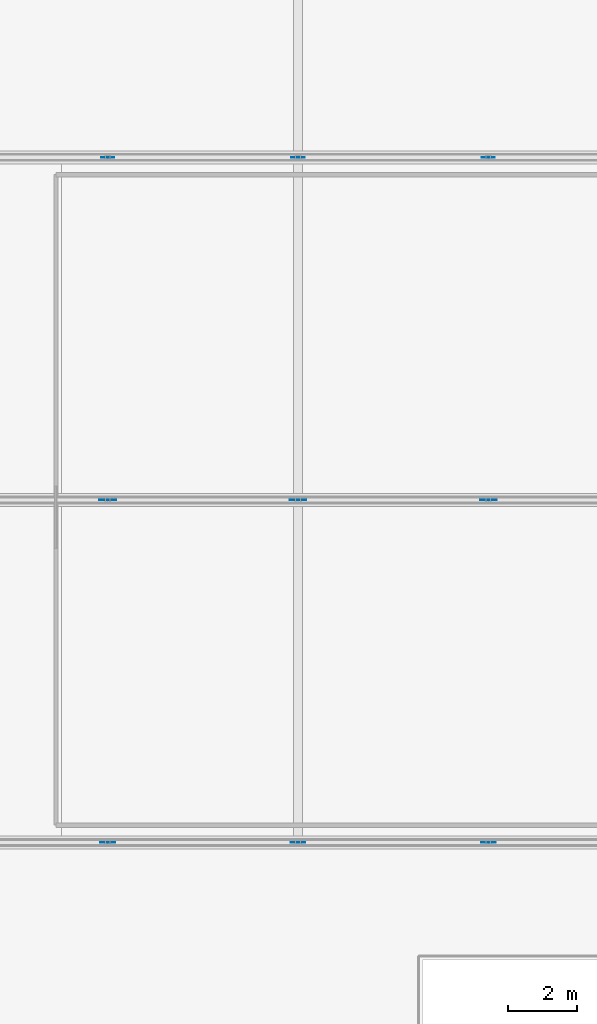
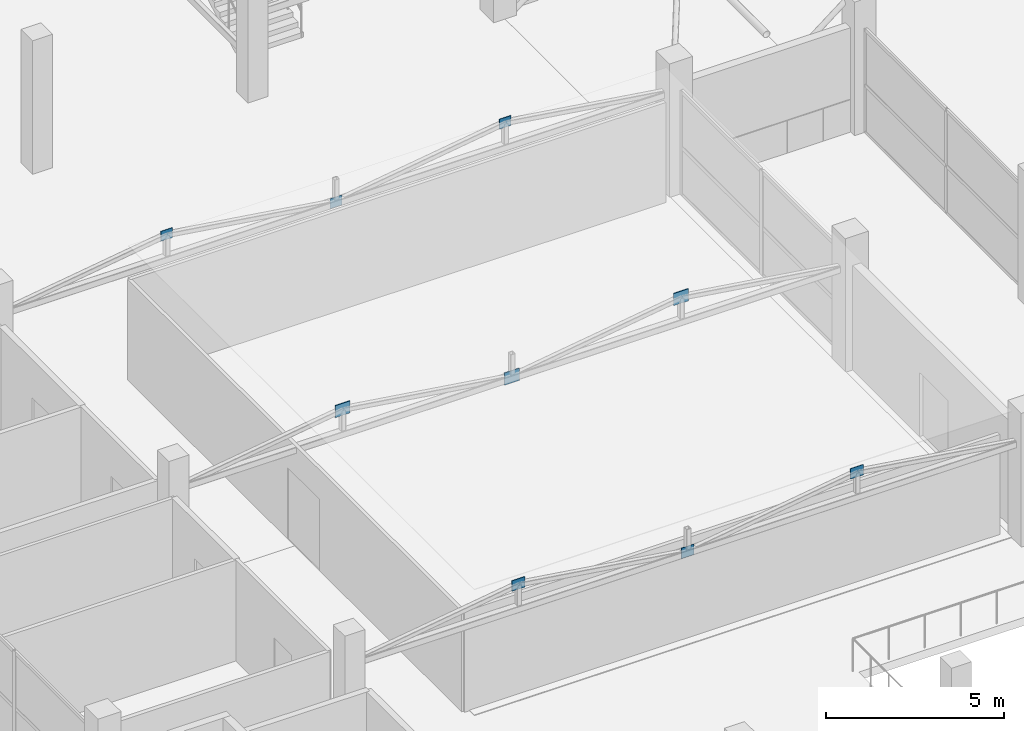
# One storey, part 54 of 69: 9 plates.
"""IFC4 building model written with IfcOpenShell, lengths in metres."""

from ifc_helpers import new_model, si_unit, direction, frame, origin, origin_2d, place, context, subcontext, project, spatial, rectangle, extrude, material, layer, layer_set, type_object, element, save


model = new_model("IFC4")

# Units and contexts
model_context = context("Model", 3, precision=1e-05, world=origin(), true_north=direction((0.0, 1.0)))
body_context = subcontext(model_context, "Body", "Model", "MODEL_VIEW")
ifc_project = project(units=[si_unit("LENGTHUNIT", "METRE"), si_unit("AREAUNIT", "SQUARE_METRE"), si_unit("VOLUMEUNIT", "CUBIC_METRE"), si_unit("PLANEANGLEUNIT", "RADIAN"), si_unit("MASSUNIT", "GRAM", prefix="KILO")], contexts=[model_context])

# Site, building, storey
site_placement = place(None, origin())
site = spatial("IfcSite", under=ifc_project, at=site_placement, CompositionType="ELEMENT")
building_placement = place(site_placement, origin())
building = spatial("IfcBuilding", under=site, at=building_placement, Name="Sillaruma Civic Art Gallery", CompositionType="ELEMENT")
storey_placement = place(building_placement, frame((0.0, 0.0, 42.330078125)))
storey = spatial("IfcBuildingStorey", under=building, at=storey_placement, Name="L08", CompositionType="ELEMENT", Elevation=42.330078125)

# Plates
ifc_material = material(Name="Structural Steel ASTM A992 Gr.50", Category="steel")
ifc_layer_1 = layer(ifc_material, 0.01611328125, Name="Structural Steel ASTM A992 Gr.50")
ifc_layer_set_1 = layer_set([ifc_layer_1], Name="Structural Steel ASTM A992 Gr.50")
plate_type_1 = type_object("IfcPlateType", Name="PLT-GUS-16", PredefinedType="SHEET", material=ifc_layer_set_1)
for number, where, z_axis, x_axis, name in (
    (1, (75.5, 69.300048828125, 3.98779296875), (0.0, 0.0, 1.0), (1.0, 0.0, 0.0), "Truss Gusset Plate GP-05 (TR-L08-3-1)"),
    (2, (81.0, 69.300048828125, 3.1796875), (0.0, 0.0, 1.0), (1.0, 0.0, 0.0), "Truss Gusset Plate GP-05 (TR-L08-3-2)"),
    (3, (86.5, 69.300048828125, 3.98779296875), (0.0, 0.0, 1.0), (1.0, 0.0, 0.0), "Truss Gusset Plate GP-05 (TR-L08-3-3)"),
):
    element("IfcPlate", number, at=place(storey_placement, frame(where, z_axis=z_axis, x_axis=x_axis)), inside=storey, type_object=plate_type_1, Name=name, PredefinedType="SHEET", context=body_context, shape_type="SweptSolid", body=[
        extrude(rectangle(XDim=0.3798828125, YDim=0.01611328125, at=origin_2d()), origin(), (0.0, 0.0, 1.0), 0.340087890625),
    ])
ifc_layer_2 = layer(ifc_material, 0.01806640625, Name="Structural Steel ASTM A992 Gr.50")
ifc_layer_set_2 = layer_set([ifc_layer_2], Name="Structural Steel ASTM A992 Gr.50")
plate_type_2 = type_object("IfcPlateType", Name="PLT-GUS-18", PredefinedType="SHEET", material=ifc_layer_set_2)
for number, where, z_axis, x_axis, name in (
    (4, (75.5, 49.5, 3.97802734375), (0.0, 0.0, 1.0), (1.0, 0.0, 0.0), "Truss Gusset Plate GP-03 (TR-L08-1-1)"),
    (5, (81.0, 49.5, 3.169921875), (0.0, 0.0, 1.0), (1.0, 0.0, 0.0), "Truss Gusset Plate GP-03 (TR-L08-1-2)"),
    (6, (86.5, 49.5, 3.97802734375), (0.0, 0.0, 1.0), (1.0, 0.0, 0.0), "Truss Gusset Plate GP-03 (TR-L08-1-3)"),
):
    element("IfcPlate", number, at=place(storey_placement, frame(where, z_axis=z_axis, x_axis=x_axis)), inside=storey, type_object=plate_type_2, Name=name, PredefinedType="SHEET", context=body_context, shape_type="SweptSolid", body=[
        extrude(rectangle(XDim=0.419921875, YDim=0.01806640625, at=origin_2d()), origin(), (0.0, 0.0, 1.0), 0.360107421875),
    ])
ifc_layer_3 = layer(ifc_material, 0.02197265625, Name="Structural Steel ASTM A992 Gr.50")
ifc_layer_set_3 = layer_set([ifc_layer_3], Name="Structural Steel ASTM A992 Gr.50")
plate_type_3 = type_object("IfcPlateType", Name="PLT-GUS-22", PredefinedType="SHEET", material=ifc_layer_set_3)
for number, where, z_axis, x_axis, name in (
    (7, (75.5, 59.39990234375, 3.947998046875), (0.0, 0.0, 1.0), (1.0, 0.0, 0.0), "Truss Gusset Plate GP-04 (TR-L08-2-1)"),
    (8, (81.0, 59.39990234375, 3.139892578125), (0.0, 0.0, 1.0), (1.0, 0.0, 0.0), "Truss Gusset Plate GP-04 (TR-L08-2-2)"),
    (9, (86.5, 59.39990234375, 3.947998046875), (0.0, 0.0, 1.0), (1.0, 0.0, 0.0), "Truss Gusset Plate GP-04 (TR-L08-2-3)"),
):
    element("IfcPlate", number, at=place(storey_placement, frame(where, z_axis=z_axis, x_axis=x_axis)), inside=storey, type_object=plate_type_3, Name=name, PredefinedType="SHEET", context=body_context, shape_type="SweptSolid", body=[
        extrude(rectangle(XDim=0.47998046875, YDim=0.02197265625, at=origin_2d()), origin(), (0.0, 0.0, 1.0), 0.419921875),
    ])

save(model, "model.ifc")
